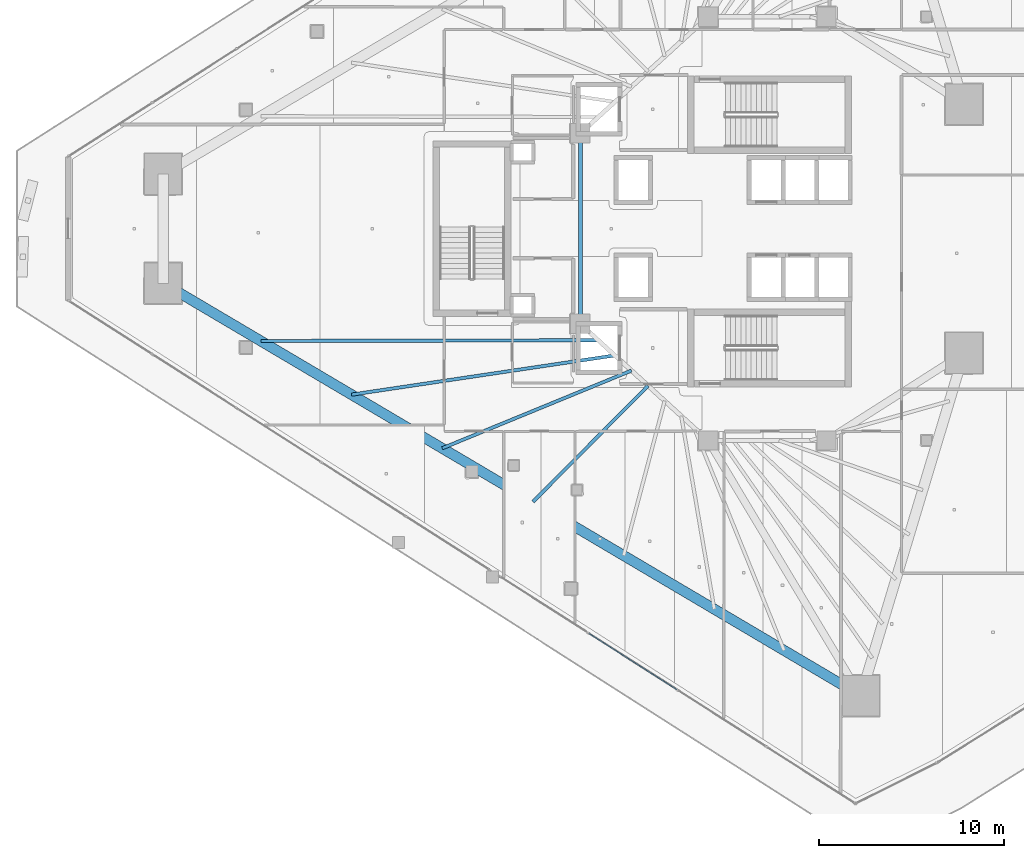
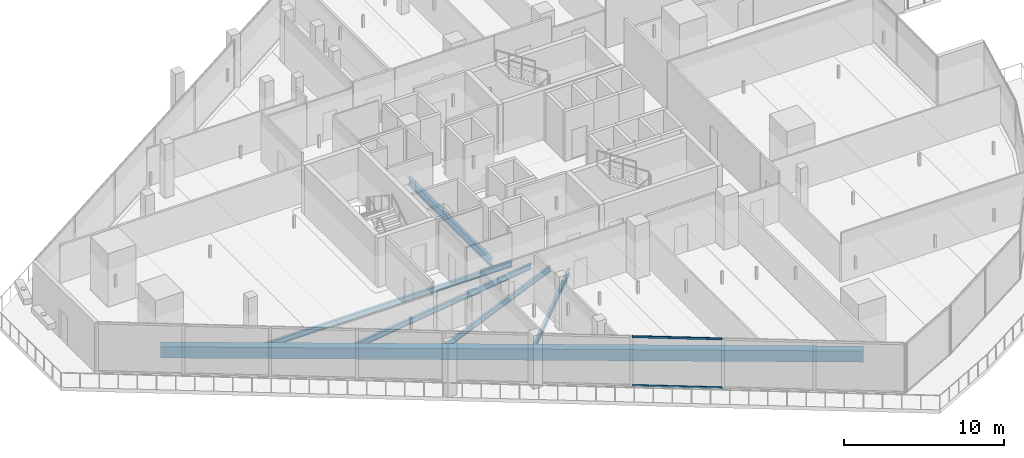
# One storey, part 6 of 45: 6 beams, 2 members, 1 element without a shape of its own.
"""IFC4 building model written with IfcOpenShell, lengths in metres."""

import ifcopenshell
import ifcopenshell.guid

model = None  # the IFC model being written
_history = None  # IfcOwnerHistory: only IFC2X3 demands one
_inside = {}  # id of a spatial element -> (the spatial element, [elements in it])
_under = {}  # id of a project, library or spatial element -> (it, [spatial elements below it])
_declared = {}  # id of a project -> (the project, [libraries it declares])
_typed = {}  # id of a type object -> (the type object, [elements of that type])
_made_of = {}  # id of a material, layer set ... -> (it, [elements and type objects made of it])


def new_model(schema):
    """Start an empty IFC model of exactly this schema.

    Asked for "IFC4X3", IfcOpenShell would pick the latest addendum, in which some entities
    have other attributes; the version numbers below select the first issue.
    IFC2X3 requires an IfcOwnerHistory on every rooted entity: one is made here for all.
    """
    global model, _history
    if schema == "IFC4X3":
        model = ifcopenshell.file(schema_version=(4, 3, 0, 0))
    else:
        model = ifcopenshell.file(schema=schema)
    _inside.clear()
    _under.clear()
    _declared.clear()
    _typed.clear()
    _made_of.clear()
    _history = None
    if model.schema == "IFC2X3":
        org = make("IfcOrganization", Name="unknown")
        user = make(
            "IfcPersonAndOrganization",
            ThePerson=make("IfcPerson", FamilyName="unknown"),
            TheOrganization=org,
        )
        app = make(
            "IfcApplication",
            ApplicationDeveloper=org,
            Version="unknown",
            ApplicationFullName="unknown",
            ApplicationIdentifier="unknown",
        )
        _history = make(
            "IfcOwnerHistory",
            OwningUser=user,
            OwningApplication=app,
            ChangeAction="ADDED",
            CreationDate=0,
        )
    return model


def make(cls, **values):
    """One entity of the class cls with the attributes given. An attribute that is None is left unset."""
    return model.create_entity(
        cls, **{name: value for name, value in values.items() if value is not None}
    )


def rooted(cls, **values):
    """An entity with a GlobalId (a new one), such as an element, a storey or a relation."""
    return make(cls, GlobalId=ifcopenshell.guid.new(), OwnerHistory=_history, **values)


def si_unit(unit_type, name, prefix=None):
    """IfcSIUnit, for example si_unit("LENGTHUNIT", "METRE", prefix="MILLI")."""
    return make("IfcSIUnit", UnitType=unit_type, Prefix=prefix, Name=name)


def assignment(units):
    """IfcUnitAssignment: the units of a project."""
    return None if units is None else make("IfcUnitAssignment", Units=units)


def point(xyz):
    """IfcCartesianPoint."""
    return None if xyz is None else make("IfcCartesianPoint", Coordinates=xyz)


def direction(xyz):
    """IfcDirection."""
    return None if xyz is None else make("IfcDirection", DirectionRatios=xyz)


def frame(location, z_axis=None, x_axis=None):
    """IfcAxis2Placement3D, a coordinate frame: its origin and axes. An axis left out is left unset."""
    return make(
        "IfcAxis2Placement3D",
        Location=point(location),
        Axis=direction(z_axis),
        RefDirection=direction(x_axis),
    )


def frame_2d(location, x_axis=None):
    """IfcAxis2Placement2D, a coordinate frame in the plane: its origin and x axis."""
    return make(
        "IfcAxis2Placement2D", Location=point(location), RefDirection=direction(x_axis)
    )


def origin():
    """The frame at (0, 0, 0) with its axes left unset."""
    return frame((0.0, 0.0, 0.0))


def origin_2d():
    """The frame at (0, 0) in the plane with its x axis left unset."""
    return frame_2d((0.0, 0.0))


def place(relative_to, where):
    """IfcLocalPlacement: puts the frame where relative to a parent placement (None: the world)."""
    return make(
        "IfcLocalPlacement", PlacementRelTo=relative_to, RelativePlacement=where
    )


def context(
    kind, dimensions, precision=None, world=None, true_north=None, identifier=None
):
    """IfcGeometricRepresentationContext, for example the 3D "Model" context."""
    return make(
        "IfcGeometricRepresentationContext",
        ContextIdentifier=identifier,
        ContextType=kind,
        CoordinateSpaceDimension=dimensions,
        Precision=precision,
        WorldCoordinateSystem=world,
        TrueNorth=true_north,
    )


def subcontext(parent, identifier, kind, view, scale=None):
    """IfcGeometricRepresentationSubContext, for example "Body" below "Model"."""
    return make(
        "IfcGeometricRepresentationSubContext",
        ContextIdentifier=identifier,
        ContextType=kind,
        ParentContext=parent,
        TargetScale=scale,
        TargetView=view,
    )


def project(units=None, contexts=None):
    """IfcProject with its units and contexts."""
    return rooted(
        "IfcProject",
        Name="project",
        RepresentationContexts=contexts,
        UnitsInContext=assignment(units),
    )


def spatial(cls, under=None, at=None, **own):
    """A site, building, storey or space (cls), placed at a placement, below another one or the project."""
    s = rooted(cls, ObjectPlacement=at, **own)
    if under is not None:
        _under.setdefault(under.id(), (under, []))[1].append(s)
    return s


def profile(cls, at=None, kind="AREA", **sizes):
    """A parametric profile (cls). Its sizes go by their IFC names, for example OverallWidth=200.0."""
    return make(cls, ProfileType=kind, Position=at, **sizes)


def rectangle(**sizes):
    """IfcRectangleProfileDef."""
    return profile("IfcRectangleProfileDef", **sizes)


def hollow_rectangle(**sizes):
    """IfcRectangleHollowProfileDef."""
    return profile("IfcRectangleHollowProfileDef", **sizes)


def i_section(**sizes):
    """IfcIShapeProfileDef."""
    return profile("IfcIShapeProfileDef", **sizes)


def extrude(swept, where, along, depth):
    """IfcExtrudedAreaSolid: the profile swept, set in the frame where, extruded along a direction by depth."""
    return make(
        "IfcExtrudedAreaSolid",
        SweptArea=swept,
        Position=where,
        ExtrudedDirection=direction(along),
        Depth=depth,
    )


def shape(context_of_items, identifier, shape_type, items):
    """IfcShapeRepresentation: the items that make up one representation, for example the "Body"."""
    return make(
        "IfcShapeRepresentation",
        ContextOfItems=context_of_items,
        RepresentationIdentifier=identifier,
        RepresentationType=shape_type,
        Items=items,
    )


def material(Name=None, Category=None):
    """IfcMaterial."""
    return make("IfcMaterial", Name=Name, Category=Category)


def layer(
    of_material, thickness, ventilated=None, Name=None, Category=None, Priority=None
):
    """IfcMaterialLayer: one layer of a wall or slab, of a material (None: an air gap)."""
    return make(
        "IfcMaterialLayer",
        Material=of_material,
        LayerThickness=thickness,
        IsVentilated=ventilated,
        Name=Name,
        Category=Category,
        Priority=Priority,
    )


def layer_set(layers, Name=None):
    """IfcMaterialLayerSet."""
    return make("IfcMaterialLayerSet", MaterialLayers=layers, LayerSetName=Name)


def material_profile(
    of_material, cross_section, Name=None, Category=None, Priority=None
):
    """IfcMaterialProfile: a cross section and its material."""
    return make(
        "IfcMaterialProfile",
        Name=Name,
        Material=of_material,
        Profile=cross_section,
        Priority=Priority,
        Category=Category,
    )


def profile_set(profiles, Name=None, composite=None):
    """IfcMaterialProfileSet."""
    return make(
        "IfcMaterialProfileSet",
        Name=Name,
        MaterialProfiles=profiles,
        CompositeProfile=composite,
    )


def made_of(thing, what):
    """Note that an element or type object is made of a material, layer set ...; save() writes the relation."""
    if what is not None:
        _made_of.setdefault(what.id(), (what, []))[1].append(thing)
    return thing


def type_object(cls, material=None, **own):
    """A type object (cls), such as IfcWallType, which elements share."""
    return made_of(rooted(cls, **own), material)


def element(
    cls,
    number,
    at=None,
    inside=None,
    cuts=None,
    type_object=None,
    material=None,
    context=None,
    identifier="Body",
    shape_type=None,
    held_by="IfcProductDefinitionShape",
    body=None,
    shapes=None,
    **own,
):
    """One element of the class cls, such as IfcWall. Its Tag is "e" and its number.

    at: its placement. inside: the storey or other place that contains it. cuts: it is an
    opening in that element (IfcRelVoidsElement). A single representation is given by context,
    identifier, shape_type and body (its items); several are given by shapes. held_by: the class
    of the entity that holds the representations. save() writes the other relations.
    """
    e = rooted(cls, Tag="e%d" % number, ObjectPlacement=at, **own)
    if body is not None:
        shapes = [shape(context, identifier, shape_type, body)]
    if shapes is not None:
        e.Representation = make(held_by, Representations=shapes)
    if inside is not None:
        _inside.setdefault(inside.id(), (inside, []))[1].append(e)
    if cuts is not None:
        rooted(
            "IfcRelVoidsElement", RelatingBuildingElement=cuts, RelatedOpeningElement=e
        )
    if type_object is not None:
        _typed.setdefault(type_object.id(), (type_object, []))[1].append(e)
    return made_of(e, material)


def aggregate(whole, parts):
    """IfcRelAggregates: a whole, such as a stair, and the parts it consists of."""
    return rooted("IfcRelAggregates", RelatingObject=whole, RelatedObjects=parts)


def save(model, path):
    """Write the relations noted so far, then the file.

    IfcRelAggregates (storeys below a building ...), IfcRelContainedInSpatialStructure (elements
    in a storey), IfcRelDefinesByType, IfcRelAssociatesMaterial and IfcRelDeclares: one each for
    every whole, place, type object, material and project.
    """
    for whole, parts in _under.values():
        aggregate(whole, parts)
    for where, things in _inside.values():
        rooted(
            "IfcRelContainedInSpatialStructure",
            RelatedElements=things,
            RelatingStructure=where,
        )
    for kind, things in _typed.values():
        rooted("IfcRelDefinesByType", RelatedObjects=things, RelatingType=kind)
    for what, things in _made_of.values():
        rooted("IfcRelAssociatesMaterial", RelatedObjects=things, RelatingMaterial=what)
    for by, libraries in _declared.values():
        rooted("IfcRelDeclares", RelatingContext=by, RelatedDefinitions=libraries)
    model.write(path)


model = new_model("IFC4")

# Units and contexts
model_context = context("Model", 3, precision=1e-05, world=origin(), true_north=direction((0.0, 1.0)))
body_context = subcontext(model_context, "Body", "Model", "MODEL_VIEW")
ifc_project = project(units=[si_unit("LENGTHUNIT", "METRE"), si_unit("AREAUNIT", "SQUARE_METRE"), si_unit("VOLUMEUNIT", "CUBIC_METRE"), si_unit("PLANEANGLEUNIT", "RADIAN"), si_unit("MASSUNIT", "GRAM", prefix="KILO")], contexts=[model_context])

# Site, building, storey
site_placement = place(None, origin())
site = spatial("IfcSite", under=ifc_project, at=site_placement, CompositionType="ELEMENT")
building_placement = place(site_placement, origin())
building = spatial("IfcBuilding", under=site, at=building_placement, Name="Qorvath Tower", CompositionType="ELEMENT")
storey_placement = place(building_placement, frame((0.0, 0.0, 109.800048828125)))
storey = spatial("IfcBuildingStorey", under=building, at=storey_placement, Name="L24", CompositionType="ELEMENT", Elevation=109.800048828125)

# Beams
ifc_material_1 = material(Name="Steel ASTM A992 Grade 50", Category="steel")
ifc_material_profile_1 = material_profile(ifc_material_1, i_section(OverallWidth=0.22998046875, OverallDepth=0.616943359375, WebThickness=0.01318359375, FlangeThickness=0.022216796875, FilletRadius=0.014892578125, at=origin_2d()), Name="W24x94")
ifc_profile_set_1 = profile_set([ifc_material_profile_1], Name="Steel ASTM A992 Grade 50")
beam_type_1 = type_object("IfcBeamType", Name="BM-FG6", PredefinedType="BEAM", material=ifc_profile_set_1)
beam_1_placement = place(storey_placement, frame((-30.5, -5.14990234375, -0.588623046875), z_axis=(0.0, 1.0, 0.0), x_axis=(-1.0, 0.0, 0.0)))
element("IfcBeam", 1, at=beam_1_placement, inside=storey, type_object=beam_type_1, Name="Core Ring Girder CC6-CC5 L24", PredefinedType="BEAM", context=body_context, shape_type="SweptSolid", body=[
    extrude(i_section(OverallWidth=0.22998046875, OverallDepth=0.616943359375, WebThickness=0.01318359375, FlangeThickness=0.022216796875, FilletRadius=0.014892578125, at=origin_2d()), origin(), (0.0, 0.0, 1.0), 10.2998046875),
])
ifc_material_2 = material(Name="Steel ASTM A992 Grade 50", Category="steel")
ifc_material_profile_2 = material_profile(ifc_material_2, i_section(OverallWidth=0.177978515625, OverallDepth=0.406005859375, WebThickness=0.0078125, FlangeThickness=0.0126953125, FilletRadius=0.010986328125, at=origin_2d()), Name="W16x40")
ifc_profile_set_2 = profile_set([ifc_material_profile_2], Name="Steel ASTM A992 Grade 50")
beam_type_2 = type_object("IfcBeamType", Name="BM-FJ3", PredefinedType="JOIST", material=ifc_profile_set_2)
beam_2_placement = place(storey_placement, frame((-29.533935546875, -6.031982421875, -0.483154296875), z_axis=(-0.999997589883, -0.002195501951, 0.0), x_axis=(0.002195501951, -0.999997589883, 0.0)))
element("IfcBeam", 2, at=beam_2_placement, inside=storey, type_object=beam_type_2, Name="Composite Floor Joist SW1 L24", PredefinedType="JOIST", context=body_context, shape_type="SweptSolid", body=[
    extrude(i_section(OverallWidth=0.177978515625, OverallDepth=0.406005859375, WebThickness=0.0078125, FlangeThickness=0.0126953125, FilletRadius=0.010986328125, at=origin_2d()), origin(), (0.0, 0.0, 1.0), 18.23681640625),
])
beam_3_placement = place(storey_placement, frame((-28.636962890625, -6.85107421875, -0.483154296875), z_axis=(-0.989092860328, -0.147293291256, 0.0), x_axis=(0.147293291256, -0.989092860328, 0.0)))
element("IfcBeam", 3, at=beam_3_placement, inside=storey, type_object=beam_type_2, Name="Composite Floor Joist SW2 L24", PredefinedType="JOIST", context=body_context, shape_type="SweptSolid", body=[
    extrude(i_section(OverallWidth=0.177978515625, OverallDepth=0.406005859375, WebThickness=0.0078125, FlangeThickness=0.0126953125, FilletRadius=0.010986328125, at=origin_2d()), origin(), (0.0, 0.0, 1.0), 14.388916015625),
])
beam_4_placement = place(storey_placement, frame((-27.739990234375, -7.669921875, -0.483154296875), z_axis=(-0.925068176006, -0.379801092338, 0.0), x_axis=(0.379801092338, -0.925068176006, 0.0)))
element("IfcBeam", 4, at=beam_4_placement, inside=storey, type_object=beam_type_2, Name="Composite Floor Joist SW3 L24", PredefinedType="JOIST", context=body_context, shape_type="SweptSolid", body=[
    extrude(i_section(OverallWidth=0.177978515625, OverallDepth=0.406005859375, WebThickness=0.0078125, FlangeThickness=0.0126953125, FilletRadius=0.010986328125, at=origin_2d()), origin(), (0.0, 0.0, 1.0), 11.0556640625),
])
beam_5_placement = place(storey_placement, frame((-26.843017578125, -8.489013671875, -0.483154296875), z_axis=(-0.70395121362, -0.710248328997, 0.0), x_axis=(0.710248328997, -0.70395121362, 0.0)))
element("IfcBeam", 5, at=beam_5_placement, inside=storey, type_object=beam_type_2, Name="Composite Floor Joist SW4 L24", PredefinedType="JOIST", context=body_context, shape_type="SweptSolid", body=[
    extrude(i_section(OverallWidth=0.177978515625, OverallDepth=0.406005859375, WebThickness=0.0078125, FlangeThickness=0.0126953125, FilletRadius=0.010986328125, at=origin_2d()), origin(), (0.0, 0.0, 1.0), 8.839599609375),
])
ifc_material_3 = material(Name="Concrete C50/60", Category="concrete")
ifc_material_profile_3 = material_profile(ifc_material_3, rectangle(XDim=0.550048828125, YDim=0.85009765625, at=origin_2d()), Name="RCB 850x550")
ifc_profile_set_3 = profile_set([ifc_material_profile_3], Name="Concrete C50/60")
beam_type_3 = type_object("IfcBeamType", Name="BM-RCB2", PredefinedType="SPANDREL", material=ifc_profile_set_3)
beam_6_placement = place(storey_placement, frame((-53.04931640625, -2.95068359375, -0.705078125), z_axis=(0.860775142889, -0.508985415689, 0.0), x_axis=(0.508985415689, 0.860775142889, 0.0)))
element("IfcBeam", 6, at=beam_6_placement, inside=storey, type_object=beam_type_3, Name="Perimeter Loggia Frame Beam MC2-MC3 L24", PredefinedType="SPANDREL", context=body_context, shape_type="SweptSolid", body=[
    extrude(rectangle(XDim=0.550048828125, YDim=0.85009765625, at=origin_2d()), origin(), (0.0, 0.0, 1.0), 43.8037109375),
])

# Curtain wall, members
ifc_material_4 = material(Name="Anodised aluminium and triple low-E glass", Category="aluminium")
ifc_layer = layer(ifc_material_4, 0.179931640625)
ifc_layer_set = layer_set([ifc_layer], Name="CW-SYS-2")
curtain_wall_type = type_object("IfcCurtainWallType", Name="CW-SYS-2", PredefinedType="NOTDEFINED", material=ifc_layer_set)
curtain_wall_placement = place(storey_placement, origin())
curtain_wall = element("IfcCurtainWall", 7, at=curtain_wall_placement, inside=storey, type_object=curtain_wall_type, Name="Curtain Wall CW-2 CW-T-L24-2.2", PredefinedType="NOTDEFINED")
ifc_material_5 = material(Name="Anodised aluminium 6063-T6", Category="aluminium")
ifc_material_profile_4 = material_profile(ifc_material_5, hollow_rectangle(XDim=0.06494140625, YDim=0.159912109375, WallThickness=0.00341796875, InnerFilletRadius=0.00341796875, OuterFilletRadius=0.007080078125, at=origin_2d()), Name="CWT 160x65")
ifc_profile_set_4 = profile_set([ifc_material_profile_4], Name="Anodised aluminium 6063-T6")
member_type = type_object("IfcMemberType", Name="CWT-160", PredefinedType="USERDEFINED", material=ifc_profile_set_4)
member_1_placement = place(storey_placement, frame((-30.043701171875, -21.874267578125, 0.032470703125), z_axis=(0.84259648245, -0.538545418477, 0.0), x_axis=(0.538545418477, 0.84259648245, 0.0)))
member_1 = element("IfcMember", 8, at=member_1_placement, type_object=member_type, Name="CW-2 transom 2.1", ObjectType="TRANSOM", PredefinedType="USERDEFINED", context=body_context, shape_type="SweptSolid", body=[
    extrude(hollow_rectangle(XDim=0.06494140625, YDim=0.159912109375, WallThickness=0.00341796875, InnerFilletRadius=0.00341796875, OuterFilletRadius=0.007080078125, at=origin_2d()), origin(), (0.0, 0.0, 1.0), 5.64404296875),
])
member_2_placement = place(storey_placement, frame((-30.043701171875, -21.874267578125, 3.737548828125), z_axis=(0.84259648245, -0.538545418477, 0.0), x_axis=(0.538545418477, 0.84259648245, 0.0)))
member_2 = element("IfcMember", 9, at=member_2_placement, type_object=member_type, Name="CW-2 transom 2.2", ObjectType="TRANSOM", PredefinedType="USERDEFINED", context=body_context, shape_type="SweptSolid", body=[
    extrude(hollow_rectangle(XDim=0.06494140625, YDim=0.159912109375, WallThickness=0.00341796875, InnerFilletRadius=0.00341796875, OuterFilletRadius=0.007080078125, at=origin_2d()), origin(), (0.0, 0.0, 1.0), 5.64404296875),
])
aggregate(curtain_wall, [member_1, member_2])

save(model, "model.ifc")
